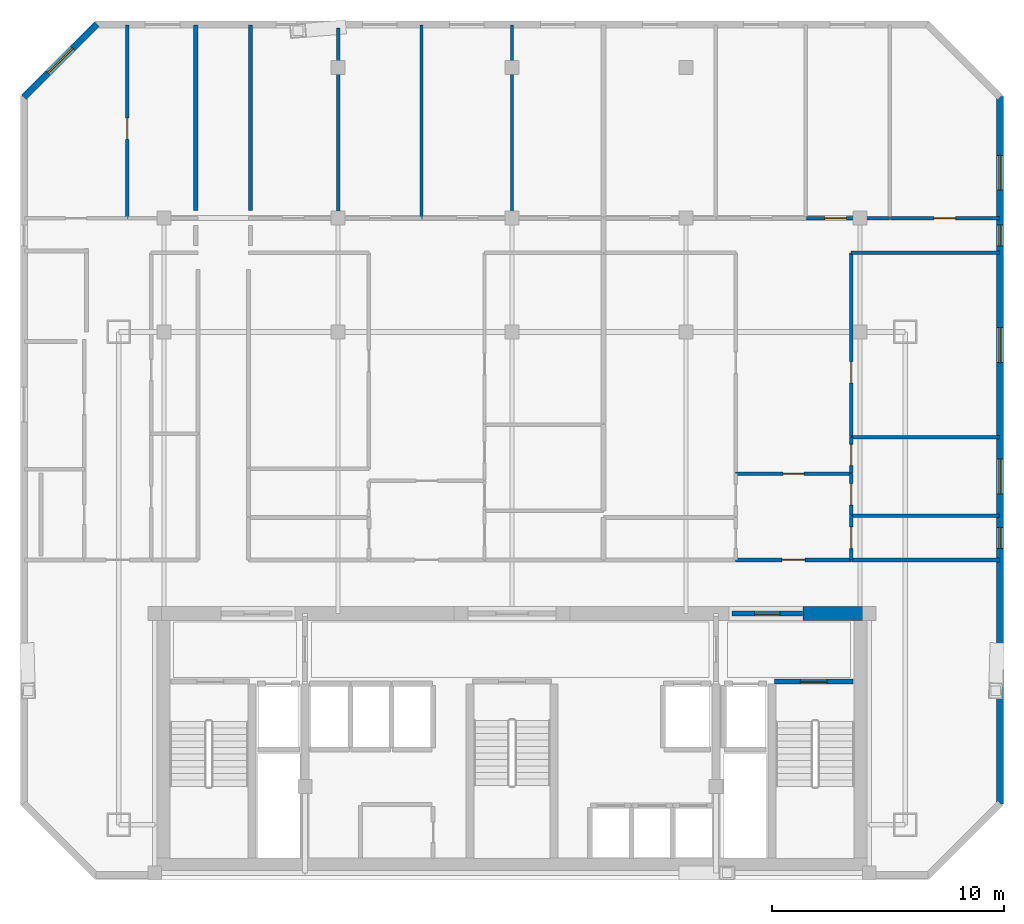
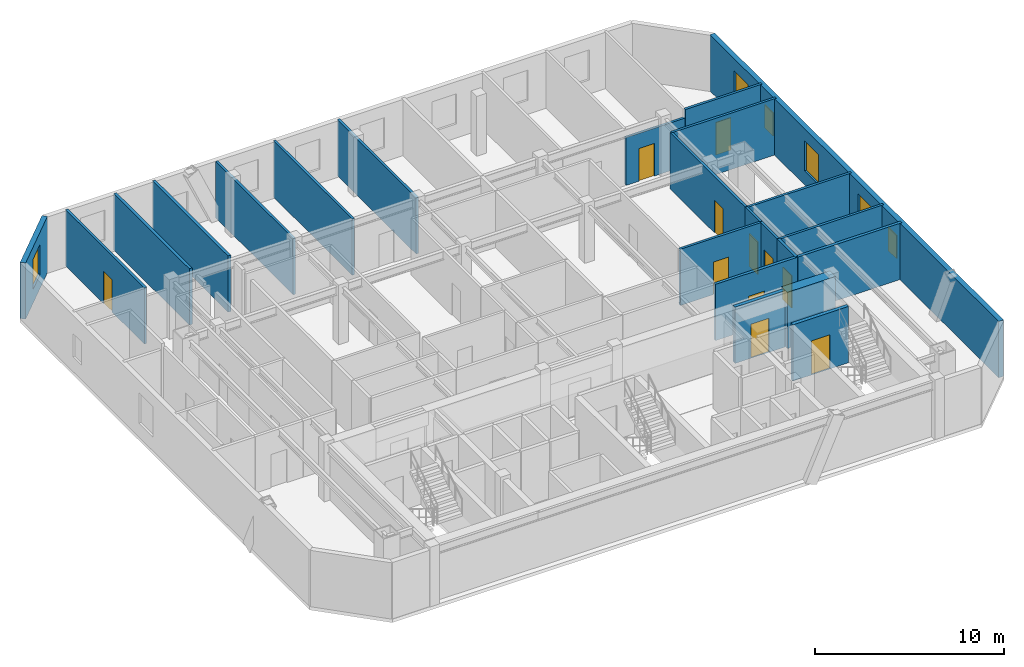
# One storey, part 5 of 7: 23 walls, 11 doors, 6 windows, 17 openings.
"""IFC4 building model written with IfcOpenShell, lengths in metres."""

from ifc_helpers import new_model, si_unit, direction, frame, frame_2d, origin, place, context, subcontext, project, spatial, rectangle, extrude, material, layer, layer_set, type_object, element, fill, save


model = new_model("IFC4")

# Units and contexts
model_context = context("Model", 3, precision=1e-05, world=origin(), true_north=direction((0.0, 1.0)))
body_context = subcontext(model_context, "Body", "Model", "MODEL_VIEW")
ifc_project = project(units=[si_unit("LENGTHUNIT", "METRE"), si_unit("AREAUNIT", "SQUARE_METRE"), si_unit("VOLUMEUNIT", "CUBIC_METRE"), si_unit("PLANEANGLEUNIT", "RADIAN"), si_unit("MASSUNIT", "GRAM", prefix="KILO")], contexts=[model_context])

# Site, building, storey
site_placement = place(None, origin())
site = spatial("IfcSite", under=ifc_project, at=site_placement, CompositionType="ELEMENT")
building_placement = place(site_placement, origin())
building = spatial("IfcBuilding", under=site, at=building_placement, Name="Ventersveld Concourse Tower", CompositionType="ELEMENT")
storey_placement = place(building_placement, frame((0.0, 0.0, 234.949951171875)))
storey = spatial("IfcBuildingStorey", under=building, at=storey_placement, Name="L58", CompositionType="ELEMENT", Elevation=234.949951171875)

# Wall
ifc_material_1 = material(Name="Concrete C50/60", Category="concrete")
ifc_layer_1 = layer(ifc_material_1, 0.60009765625)
ifc_layer_set_1 = layer_set([ifc_layer_1], Name="Concrete C50/60")
wall_type_1 = type_object("IfcWallType", Name="WL-CORE-600", PredefinedType="SHEAR", material=ifc_layer_set_1)
wall_1_placement = place(storey_placement, frame((41.300048828125, 11.449951171875, 0.0), z_axis=(0.0, 0.0, 1.0), x_axis=(1.0, 0.0, 0.0)))
element("IfcWall", 1, at=wall_1_placement, inside=storey, type_object=wall_type_1, Name="L58 Rear Core North Shear Wall NE", PredefinedType="SHEAR", context=body_context, shape_type="SweptSolid", body=[
    extrude(rectangle(XDim=2.949951171875, YDim=0.60009765625, at=frame_2d((1.47509765625, 0.0))), origin(), (0.0, 0.0, 1.0), 3.630126953125),
])

# Wall, opening, door
ifc_material_2 = material(Name="Fire-rated autoclaved aerated masonry blockwork", Category="masonry")
ifc_layer_2 = layer(ifc_material_2, 0.179931640625)
ifc_layer_set_2 = layer_set([ifc_layer_2], Name="Fire-rated autoclaved aerated masonry blockwork")
wall_type_2 = type_object("IfcWallType", Name="WL-CORR-180", PredefinedType="PARTITIONING", material=ifc_layer_set_2)
wall_2_placement = place(storey_placement, frame((38.38818359375, 13.77001953125, 0.0), z_axis=(0.0, 0.0, 1.0), x_axis=(1.0, 0.0, 0.0)))
wall_2 = element("IfcWall", 2, at=wall_2_placement, inside=storey, type_object=wall_type_2, Name="L58 Interior Partition SP-L58-COR-SP-L58-58N2-FOY", PredefinedType="PARTITIONING", context=body_context, shape_type="SweptSolid", body=[
    extrude(rectangle(XDim=4.989990234375, YDim=0.179931640625, at=frame_2d((2.4951171875, 0.0))), origin(), (0.0, 0.0, 1.0), 3.630126953125),
])
opening_1_placement = place(wall_2_placement, frame((1.9951171875, 0.0, 0.0)))
opening_1 = element("IfcOpeningElement", 3, at=opening_1_placement, cuts=wall_2, Name="Opening FD3", PredefinedType="OPENING", context=body_context, shape_type="SweptSolid", body=[
    extrude(rectangle(XDim=1.0, YDim=2.14990234375, at=frame_2d((0.5, 1.074951171875))), frame((0.0, 0.10009765625, 0.0), z_axis=(0.0, -1.0, 0.0), x_axis=(1.0, 0.0, 0.0)), (0.0, 0.0, 1.0), 0.199951171875),
])
ifc_material_3 = material(Name="Solid-core hardwood veneer timber", Category="wood")
door_type_1 = type_object("IfcDoorType", Name="DR-FLAT-100", OperationType="NOTDEFINED", PredefinedType="DOOR", material=ifc_material_3)
door_1_placement = place(opening_1_placement, origin())
door_1 = element("IfcDoor", 4, at=door_1_placement, inside=storey, type_object=door_type_1, Name="L58 Interior Door SP-L58-COR to SP-L58-58N2-FOY (FD-L58-2787)", OperationType="SINGLE_SWING_LEFT", OverallHeight=2.14990234375, OverallWidth=1.0, PredefinedType="DOOR", context=body_context, shape_type="SweptSolid", body=[
    extrude(rectangle(XDim=1.0, YDim=2.14990234375, at=frame_2d((0.5, 1.074951171875))), frame((0.0, 0.02490234375, 0.0), z_axis=(0.0, -1.0, 0.0), x_axis=(1.0, 0.0, 0.0)), (0.0, 0.0, 1.0), 0.050048828125),
])
fill(opening_1, door_1)

# Walls
wall_3_placement = place(storey_placement, frame((43.408203125, 13.77001953125, 0.0), z_axis=(0.0, 0.0, 1.0), x_axis=(1.0, 0.0, 0.0)))
element("IfcWall", 5, at=wall_3_placement, inside=storey, type_object=wall_type_2, Name="L58 Interior Partition SP-L58-COR-SP-L58-58N2-KIT", PredefinedType="PARTITIONING", context=body_context, shape_type="SweptSolid", body=[
    extrude(rectangle(XDim=6.34814453125, YDim=0.179931640625, at=frame_2d((3.174072265625, 0.0))), origin(), (0.0, 0.0, 1.0), 3.630126953125),
])
for number, where, z_axis, x_axis, name in (
    (6, (15.1201171875, 36.822021484375, 0.0), (0.0, 0.0, 1.0), (0.0, -1.0, 0.0), "L58 Room Enclosure Wall SP-L58-58NW-BR2"),
    (7, (17.47998046875, 28.824951171875, 0.0), (0.0, 0.0, 1.0), (0.0, 1.0, 0.0), "L58 Room Enclosure Wall SP-L58-58N1-BR1"),
):
    element("IfcWall", number, at=place(storey_placement, frame(where, z_axis=z_axis, x_axis=x_axis)), inside=storey, type_object=wall_type_2, Name=name, PredefinedType="PARTITIONING", context=body_context, shape_type="SweptSolid", body=[
        extrude(rectangle(XDim=7.9970703125, YDim=0.179931640625, at=frame_2d((3.99853515625, 0.0))), origin(), (0.0, 0.0, 1.0), 3.630126953125),
    ])

# Wall, opening, door
ifc_layer_3 = layer(ifc_material_2, 0.219970703125)
ifc_layer_set_3 = layer_set([ifc_layer_3], Name="Fire-rated autoclaved aerated masonry blockwork")
wall_type_3 = type_object("IfcWallType", Name="WL-HOIST-220", PredefinedType="SOLIDWALL", material=ifc_layer_set_3)
wall_4_placement = place(storey_placement, frame((40.06005859375, 8.52001953125, 0.0), z_axis=(0.0, 0.0, 1.0), x_axis=(1.0, 0.0, 0.0)))
wall_4 = element("IfcWall", 8, at=wall_4_placement, inside=storey, type_object=wall_type_3, Name="L58 Escape Stair ST02 Fire Wall", PredefinedType="SOLIDWALL", context=body_context, shape_type="SweptSolid", body=[
    extrude(rectangle(XDim=3.39990234375, YDim=0.219970703125, at=frame_2d((1.699951171875, 0.0))), origin(), (0.0, 0.0, 1.0), 3.630126953125),
])
opening_2_placement = place(wall_4_placement, frame((1.125, 0.0, 0.0)))
opening_2 = element("IfcOpeningElement", 9, at=opening_2_placement, cuts=wall_4, Name="Opening FD1", PredefinedType="OPENING", context=body_context, shape_type="SweptSolid", body=[
    extrude(rectangle(XDim=1.14990234375, YDim=2.199951171875, at=frame_2d((0.574951171875, 1.10009765625))), frame((0.0, 0.1201171875, 0.0), z_axis=(0.0, -1.0, 0.0), x_axis=(1.0, 0.0, 0.0)), (0.0, 0.0, 1.0), 0.239990234375),
])
ifc_material_4 = material(Name="Galvanised painted steel", Category="steel")
door_type_2 = type_object("IfcDoorType", Name="DR-STAIR-115", OperationType="NOTDEFINED", PredefinedType="DOOR", material=ifc_material_4)
door_2_placement = place(opening_2_placement, origin())
door_2 = element("IfcDoor", 10, at=door_2_placement, inside=storey, type_object=door_type_2, Name="L58 Escape Stair Door ST02 (SD-L58-2777)", OperationType="SINGLE_SWING_RIGHT", OverallHeight=2.199951171875, OverallWidth=1.14990234375, PredefinedType="DOOR", context=body_context, shape_type="SweptSolid", body=[
    extrude(rectangle(XDim=1.14990234375, YDim=2.199951171875, at=frame_2d((0.574951171875, 1.10009765625))), frame((0.0, 0.02490234375, 0.0), z_axis=(0.0, -1.0, 0.0), x_axis=(1.0, 0.0, 0.0)), (0.0, 0.0, 1.0), 0.050048828125),
])
fill(opening_2, door_2)

wall_5_placement = place(storey_placement, frame((38.22998046875, 11.449951171875, 0.0), z_axis=(0.0, 0.0, 1.0), x_axis=(1.0, 0.0, 0.0)))
wall_5 = element("IfcWall", 11, at=wall_5_placement, inside=storey, type_object=wall_type_3, Name="L58 Core North Fire Portal FFLE-OUT", PredefinedType="SOLIDWALL", context=body_context, shape_type="SweptSolid", body=[
    extrude(rectangle(XDim=3.0400390625, YDim=0.219970703125, at=frame_2d((1.52001953125, 0.0))), origin(), (0.0, 0.0, 1.0), 3.630126953125),
])
opening_3_placement = place(wall_5_placement, frame((0.969970703125, 0.0, 0.0)))
opening_3 = element("IfcOpeningElement", 12, at=opening_3_placement, cuts=wall_5, Name="Opening FD2", PredefinedType="OPENING", context=body_context, shape_type="SweptSolid", body=[
    extrude(rectangle(XDim=1.10009765625, YDim=2.199951171875, at=frame_2d((0.550048828125, 1.10009765625))), frame((0.0, 0.1201171875, 0.0), z_axis=(0.0, -1.0, 0.0), x_axis=(1.0, 0.0, 0.0)), (0.0, 0.0, 1.0), 0.239990234375),
])
door_type_3 = type_object("IfcDoorType", Name="DR-FFL-110", OperationType="NOTDEFINED", PredefinedType="DOOR", material=ifc_material_4)
door_3_placement = place(opening_3_placement, origin())
door_3 = element("IfcDoor", 13, at=door_3_placement, inside=storey, type_object=door_type_3, Name="L58 Core Lobby Fire Door FFLE-OUT (FD-L58-2783)", OperationType="SINGLE_SWING_LEFT", OverallHeight=2.199951171875, OverallWidth=1.10009765625, PredefinedType="DOOR", context=body_context, shape_type="SweptSolid", body=[
    extrude(rectangle(XDim=1.10009765625, YDim=2.199951171875, at=frame_2d((0.550048828125, 1.10009765625))), frame((0.0, 0.02490234375, 0.0), z_axis=(0.0, -1.0, 0.0), x_axis=(1.0, 0.0, 0.0)), (0.0, 0.0, 1.0), 0.050048828125),
])
fill(opening_3, door_3)

ifc_material_5 = material(Name="Autoclaved aerated masonry blockwork", Category="masonry")
ifc_layer_4 = layer(ifc_material_5, 0.14990234375)
ifc_layer_set_4 = layer_set([ifc_layer_4], Name="Autoclaved aerated masonry blockwork")
wall_type_4 = type_object("IfcWallType", Name="WL-INT-150", PredefinedType="PARTITIONING", material=ifc_layer_set_4)
wall_6_placement = place(storey_placement, frame((12.167236328125, 28.4951171875, 0.0), z_axis=(0.0, 0.0, 1.0), x_axis=(0.0, 1.0, 0.0)))
wall_6 = element("IfcWall", 14, at=wall_6_placement, inside=storey, type_object=wall_type_4, Name="L58 Interior Partition SP-L58-58NW-BR1-SP-L58-58NW-BR2", PredefinedType="PARTITIONING", context=body_context, shape_type="SweptSolid", body=[
    extrude(rectangle(XDim=8.326904296875, YDim=0.14990234375, at=frame_2d((4.16357421875, 0.0))), origin(), (0.0, 0.0, 1.0), 3.630126953125),
])
opening_4_placement = place(wall_6_placement, frame((3.397216796875, 0.0, 0.0)))
opening_4 = element("IfcOpeningElement", 15, at=opening_4_placement, cuts=wall_6, Name="Opening ID1", PredefinedType="OPENING", context=body_context, shape_type="SweptSolid", body=[
    extrude(rectangle(XDim=0.919921875, YDim=2.10009765625, at=frame_2d((0.4599609375, 1.050048828125))), frame((0.0, 0.0849609375, 0.0), z_axis=(0.0, -1.0, 0.0), x_axis=(1.0, 0.0, 0.0)), (0.0, 0.0, 1.0), 0.169921875),
])
door_type_4 = type_object("IfcDoorType", Name="DR-ROOM-092", OperationType="NOTDEFINED", PredefinedType="DOOR", material=ifc_material_3)
door_4_placement = place(opening_4_placement, origin())
door_4 = element("IfcDoor", 16, at=door_4_placement, inside=storey, type_object=door_type_4, Name="L58 Interior Door Flat 58NW Bedroom 2 (D-L58-2819)", OperationType="SINGLE_SWING_RIGHT", OverallHeight=2.10009765625, OverallWidth=0.919921875, PredefinedType="DOOR", context=body_context, shape_type="SweptSolid", body=[
    extrude(rectangle(XDim=0.919921875, YDim=2.10009765625, at=frame_2d((0.4599609375, 1.050048828125))), frame((0.0, 0.02490234375, 0.0), z_axis=(0.0, -1.0, 0.0), x_axis=(1.0, 0.0, 0.0)), (0.0, 0.0, 1.0), 0.050048828125),
])
fill(opening_4, door_4)

# Walls
wall_7_placement = place(storey_placement, frame((21.25, 28.4951171875, 0.0), z_axis=(0.0, 0.0, 1.0), x_axis=(0.0, 1.0, 0.0)))
element("IfcWall", 17, at=wall_7_placement, inside=storey, type_object=wall_type_4, Name="L58 Interior Partition SP-L58-58N1-BR1-SP-L58-58N1-BR2", PredefinedType="PARTITIONING", context=body_context, shape_type="SweptSolid", body=[
    extrude(rectangle(XDim=8.200927734375, YDim=0.14990234375, at=frame_2d((4.1005859375, 0.0))), origin(), (0.0, 0.0, 1.0), 3.630126953125),
])
for number, where, z_axis, x_axis, name in (
    (18, (24.848388671875, 28.4951171875, 0.0), (0.0, 0.0, 1.0), (0.0, 1.0, 0.0), "L58 Interior Partition SP-L58-58N1-BR2-SP-L58-58N1-BR3"),
    (19, (28.75, 28.4951171875, 0.0), (0.0, 0.0, 1.0), (0.0, 1.0, 0.0), "L58 Interior Partition SP-L58-58N1-BR3-SP-L58-58N1-BR4"),
):
    element("IfcWall", number, at=place(storey_placement, frame(where, z_axis=z_axis, x_axis=x_axis)), inside=storey, type_object=wall_type_4, Name=name, PredefinedType="PARTITIONING", context=body_context, shape_type="SweptSolid", body=[
        extrude(rectangle(XDim=8.326904296875, YDim=0.14990234375, at=frame_2d((4.16357421875, 0.0))), origin(), (0.0, 0.0, 1.0), 3.630126953125),
    ])

# Wall, opening, door
wall_8_placement = place(storey_placement, frame((38.38818359375, 17.48583984375, 0.0), z_axis=(0.0, 0.0, 1.0), x_axis=(1.0, 0.0, 0.0)))
wall_8 = element("IfcWall", 20, at=wall_8_placement, inside=storey, type_object=wall_type_4, Name="L58 Interior Partition SP-L58-58N2-FOY-SP-L58-58N2-LIV", PredefinedType="PARTITIONING", context=body_context, shape_type="SweptSolid", body=[
    extrude(rectangle(XDim=4.989990234375, YDim=0.14990234375, at=frame_2d((2.4951171875, 0.0))), origin(), (0.0, 0.0, 1.0), 3.630126953125),
])
opening_5_placement = place(wall_8_placement, frame((2.034912109375, 0.0, 0.0)))
opening_5 = element("IfcOpeningElement", 21, at=opening_5_placement, cuts=wall_8, Name="Opening ID1", PredefinedType="OPENING", context=body_context, shape_type="SweptSolid", body=[
    extrude(rectangle(XDim=0.919921875, YDim=2.10009765625, at=frame_2d((0.4599609375, 1.050048828125))), frame((0.0, 0.0849609375, 0.0), z_axis=(0.0, -1.0, 0.0), x_axis=(1.0, 0.0, 0.0)), (0.0, 0.0, 1.0), 0.169921875),
])
door_5_placement = place(opening_5_placement, origin())
door_5 = element("IfcDoor", 22, at=door_5_placement, inside=storey, type_object=door_type_4, Name="L58 Interior Door SP-L58-58N2-FOY to SP-L58-58N2-LIV (D-L58-2806)", OperationType="SINGLE_SWING_RIGHT", OverallHeight=2.10009765625, OverallWidth=0.919921875, PredefinedType="DOOR", context=body_context, shape_type="SweptSolid", body=[
    extrude(rectangle(XDim=0.919921875, YDim=2.10009765625, at=frame_2d((0.4599609375, 1.050048828125))), frame((0.0, 0.02490234375, 0.0), z_axis=(0.0, -1.0, 0.0), x_axis=(1.0, 0.0, 0.0)), (0.0, 0.0, 1.0), 0.050048828125),
])
fill(opening_5, door_5)

wall_9_placement = place(storey_placement, frame((43.373291015625, 13.764892578125, 0.0), z_axis=(0.0, 0.0, 1.0), x_axis=(0.0, 1.0, 0.0)))
wall_9 = element("IfcWall", 23, at=wall_9_placement, inside=storey, type_object=wall_type_4, Name="L58 Interior Partition SP-L58-58N2-FOY-SP-L58-58N2-KIT", PredefinedType="PARTITIONING", context=body_context, shape_type="SweptSolid", body=[
    extrude(rectangle(XDim=1.90869140625, YDim=0.14990234375, at=frame_2d((0.954345703125, 0.0))), origin(), (0.0, 0.0, 1.0), 3.630126953125),
])
opening_6_placement = place(wall_9_placement, frame((0.494384765625, 0.0, 0.0)))
opening_6 = element("IfcOpeningElement", 24, at=opening_6_placement, cuts=wall_9, Name="Opening ID1", PredefinedType="OPENING", context=body_context, shape_type="SweptSolid", body=[
    extrude(rectangle(XDim=0.919921875, YDim=2.10009765625, at=frame_2d((0.4599609375, 1.050048828125))), frame((0.0, 0.0849609375, 0.0), z_axis=(0.0, -1.0, 0.0), x_axis=(1.0, 0.0, 0.0)), (0.0, 0.0, 1.0), 0.169921875),
])
door_6_placement = place(opening_6_placement, origin())
door_6 = element("IfcDoor", 25, at=door_6_placement, inside=storey, type_object=door_type_4, Name="L58 Interior Door SP-L58-58N2-FOY to SP-L58-58N2-KIT (D-L58-2809)", OperationType="SINGLE_SWING_LEFT", OverallHeight=2.10009765625, OverallWidth=0.919921875, PredefinedType="DOOR", context=body_context, shape_type="SweptSolid", body=[
    extrude(rectangle(XDim=0.919921875, YDim=2.10009765625, at=frame_2d((0.4599609375, 1.050048828125))), frame((0.0, 0.02490234375, 0.0), z_axis=(0.0, -1.0, 0.0), x_axis=(1.0, 0.0, 0.0)), (0.0, 0.0, 1.0), 0.050048828125),
])
fill(opening_6, door_6)

wall_10_placement = place(storey_placement, frame((43.373291015625, 15.70361328125, 0.0), z_axis=(0.0, 0.0, 1.0), x_axis=(0.0, 1.0, 0.0)))
wall_10 = element("IfcWall", 26, at=wall_10_placement, inside=storey, type_object=wall_type_4, Name="L58 Interior Partition SP-L58-58N2-FOY-SP-L58-58N2-SEMR1", PredefinedType="PARTITIONING", context=body_context, shape_type="SweptSolid", body=[
    extrude(rectangle(XDim=1.787353515625, YDim=0.14990234375, at=frame_2d((0.8935546875, 0.0))), origin(), (0.0, 0.0, 1.0), 3.630126953125),
])
opening_7_placement = place(wall_10_placement, frame((0.43359375, 0.0, 0.0)))
opening_7 = element("IfcOpeningElement", 27, at=opening_7_placement, cuts=wall_10, Name="Opening ID1", PredefinedType="OPENING", context=body_context, shape_type="SweptSolid", body=[
    extrude(rectangle(XDim=0.919921875, YDim=2.10009765625, at=frame_2d((0.4599609375, 1.050048828125))), frame((0.0, 0.0849609375, 0.0), z_axis=(0.0, -1.0, 0.0), x_axis=(1.0, 0.0, 0.0)), (0.0, 0.0, 1.0), 0.169921875),
])
door_7_placement = place(opening_7_placement, origin())
door_7 = element("IfcDoor", 28, at=door_7_placement, inside=storey, type_object=door_type_4, Name="L58 Interior Door SP-L58-58N2-FOY to SP-L58-58N2-SEMR1 (D-L58-2810)", OperationType="SINGLE_SWING_RIGHT", OverallHeight=2.10009765625, OverallWidth=0.919921875, PredefinedType="DOOR", context=body_context, shape_type="SweptSolid", body=[
    extrude(rectangle(XDim=0.919921875, YDim=2.10009765625, at=frame_2d((0.4599609375, 1.050048828125))), frame((0.0, 0.02490234375, 0.0), z_axis=(0.0, -1.0, 0.0), x_axis=(1.0, 0.0, 0.0)), (0.0, 0.0, 1.0), 0.050048828125),
])
fill(opening_7, door_7)

wall_11_placement = place(storey_placement, frame((43.373291015625, 17.52099609375, 0.0), z_axis=(0.0, 0.0, 1.0), x_axis=(0.0, 1.0, 0.0)))
wall_11 = element("IfcWall", 29, at=wall_11_placement, inside=storey, type_object=wall_type_4, Name="L58 Interior Partition SP-L58-58N2-LIV-SP-L58-58N2-SEMR1", PredefinedType="PARTITIONING", context=body_context, shape_type="SweptSolid", body=[
    extrude(rectangle(XDim=1.5380859375, YDim=0.14990234375, at=frame_2d((0.76904296875, 0.0))), origin(), (0.0, 0.0, 1.0), 3.630126953125),
])
opening_8_placement = place(wall_11_placement, frame((0.30908203125, 0.0, 0.0)))
opening_8 = element("IfcOpeningElement", 30, at=opening_8_placement, cuts=wall_11, Name="Opening ID1", PredefinedType="OPENING", context=body_context, shape_type="SweptSolid", body=[
    extrude(rectangle(XDim=0.919921875, YDim=2.10009765625, at=frame_2d((0.4599609375, 1.050048828125))), frame((0.0, 0.0849609375, 0.0), z_axis=(0.0, -1.0, 0.0), x_axis=(1.0, 0.0, 0.0)), (0.0, 0.0, 1.0), 0.169921875),
])
door_8_placement = place(opening_8_placement, origin())
door_8 = element("IfcDoor", 31, at=door_8_placement, inside=storey, type_object=door_type_4, Name="L58 Interior Door SP-L58-58N2-LIV to SP-L58-58N2-SEMR1 (D-L58-2812)", OperationType="SINGLE_SWING_RIGHT", OverallHeight=2.10009765625, OverallWidth=0.919921875, PredefinedType="DOOR", context=body_context, shape_type="SweptSolid", body=[
    extrude(rectangle(XDim=0.919921875, YDim=2.10009765625, at=frame_2d((0.4599609375, 1.050048828125))), frame((0.0, 0.02490234375, 0.0), z_axis=(0.0, -1.0, 0.0), x_axis=(1.0, 0.0, 0.0)), (0.0, 0.0, 1.0), 0.050048828125),
])
fill(opening_8, door_8)

wall_12_placement = place(storey_placement, frame((43.373291015625, 19.089111328125, 0.0), z_axis=(0.0, 0.0, 1.0), x_axis=(0.0, 1.0, 0.0)))
wall_12 = element("IfcWall", 32, at=wall_12_placement, inside=storey, type_object=wall_type_4, Name="L58 Interior Partition SP-L58-58N2-LIV-SP-L58-58N2-DENS", PredefinedType="PARTITIONING", context=body_context, shape_type="SweptSolid", body=[
    extrude(rectangle(XDim=7.915771484375, YDim=0.14990234375, at=frame_2d((3.9580078125, 0.0))), origin(), (0.0, 0.0, 1.0), 3.630126953125),
])
opening_9_placement = place(wall_12_placement, frame((2.310546875, 0.0, 0.0)))
opening_9 = element("IfcOpeningElement", 33, at=opening_9_placement, cuts=wall_12, Name="Opening ID1", PredefinedType="OPENING", context=body_context, shape_type="SweptSolid", body=[
    extrude(rectangle(XDim=0.919921875, YDim=2.10009765625, at=frame_2d((0.4599609375, 1.050048828125))), frame((0.0, 0.0849609375, 0.0), z_axis=(0.0, -1.0, 0.0), x_axis=(1.0, 0.0, 0.0)), (0.0, 0.0, 1.0), 0.169921875),
])
door_9_placement = place(opening_9_placement, origin())
door_9 = element("IfcDoor", 34, at=door_9_placement, inside=storey, type_object=door_type_4, Name="L58 Interior Door SP-L58-58N2-LIV to SP-L58-58N2-DENS (D-L58-2813)", OperationType="SINGLE_SWING_LEFT", OverallHeight=2.10009765625, OverallWidth=0.919921875, PredefinedType="DOOR", context=body_context, shape_type="SweptSolid", body=[
    extrude(rectangle(XDim=0.919921875, YDim=2.10009765625, at=frame_2d((0.4599609375, 1.050048828125))), frame((0.0, 0.02490234375, 0.0), z_axis=(0.0, -1.0, 0.0), x_axis=(1.0, 0.0, 0.0)), (0.0, 0.0, 1.0), 0.050048828125),
])
fill(opening_9, door_9)

# Wall
wall_13_placement = place(storey_placement, frame((43.3681640625, 27.0, 0.0), z_axis=(0.0, 0.0, 1.0), x_axis=(1.0, 0.0, 0.0)))
element("IfcWall", 35, at=wall_13_placement, inside=storey, type_object=wall_type_4, Name="L58 Interior Partition SP-L58-58N2-LIV-SP-L58-58N2-DENS", PredefinedType="PARTITIONING", context=body_context, shape_type="SweptSolid", body=[
    extrude(rectangle(XDim=6.38818359375, YDim=0.14990234375, at=frame_2d((3.194091796875, 0.0))), origin(), (0.0, 0.0, 1.0), 3.630126953125),
])

# Wall, opening, door
wall_14_placement = place(storey_placement, frame((41.443359375, 28.5, 0.0), z_axis=(0.0, 0.0, 1.0), x_axis=(1.0, 0.0, 0.0)))
wall_14 = element("IfcWall", 36, at=wall_14_placement, inside=storey, type_object=wall_type_4, Name="L58 Interior Partition SP-L58-58N2-LIV-SP-L58-58N2-BR3", PredefinedType="PARTITIONING", context=body_context, shape_type="SweptSolid", body=[
    extrude(rectangle(XDim=3.589599609375, YDim=0.14990234375, at=frame_2d((1.794921875, 0.0))), origin(), (0.0, 0.0, 1.0), 3.08544921875),
])
opening_10_placement = place(wall_14_placement, frame((0.79638671875, 0.0, 0.0)))
opening_10 = element("IfcOpeningElement", 37, at=opening_10_placement, cuts=wall_14, Name="Opening ID1", PredefinedType="OPENING", context=body_context, shape_type="SweptSolid", body=[
    extrude(rectangle(XDim=0.919921875, YDim=2.10009765625, at=frame_2d((0.4599609375, 1.050048828125))), frame((0.0, 0.0849609375, 0.0), z_axis=(0.0, -1.0, 0.0), x_axis=(1.0, 0.0, 0.0)), (0.0, 0.0, 1.0), 0.169921875),
])
door_10_placement = place(opening_10_placement, origin())
door_10 = element("IfcDoor", 38, at=door_10_placement, inside=storey, type_object=door_type_4, Name="L58 Interior Door SP-L58-58N2-LIV to SP-L58-58N2-BR3 (D-L58-2816)", OperationType="SINGLE_SWING_RIGHT", OverallHeight=2.10009765625, OverallWidth=0.919921875, PredefinedType="DOOR", context=body_context, shape_type="SweptSolid", body=[
    extrude(rectangle(XDim=0.919921875, YDim=2.10009765625, at=frame_2d((0.4599609375, 1.050048828125))), frame((0.0, 0.02490234375, 0.0), z_axis=(0.0, -1.0, 0.0), x_axis=(1.0, 0.0, 0.0)), (0.0, 0.0, 1.0), 0.050048828125),
])
fill(opening_10, door_10)

wall_15_placement = place(storey_placement, frame((45.06298828125, 28.5, 0.0), z_axis=(0.0, 0.0, 1.0), x_axis=(1.0, 0.0, 0.0)))
wall_15 = element("IfcWall", 39, at=wall_15_placement, inside=storey, type_object=wall_type_4, Name="L58 Interior Partition SP-L58-58N2-LIV-SP-L58-58N2-BR4", PredefinedType="PARTITIONING", context=body_context, shape_type="SweptSolid", body=[
    extrude(rectangle(XDim=4.693359375, YDim=0.14990234375, at=frame_2d((2.3466796875, 0.0))), origin(), (0.0, 0.0, 1.0), 3.630126953125),
])
opening_11_placement = place(wall_15_placement, frame((1.88671875, 0.0, 0.0)))
opening_11 = element("IfcOpeningElement", 40, at=opening_11_placement, cuts=wall_15, Name="Opening ID1", PredefinedType="OPENING", context=body_context, shape_type="SweptSolid", body=[
    extrude(rectangle(XDim=0.919921875, YDim=2.10009765625, at=frame_2d((0.4599609375, 1.050048828125))), frame((0.0, 0.0849609375, 0.0), z_axis=(0.0, -1.0, 0.0), x_axis=(1.0, 0.0, 0.0)), (0.0, 0.0, 1.0), 0.169921875),
])
door_11_placement = place(opening_11_placement, origin())
door_11 = element("IfcDoor", 41, at=door_11_placement, inside=storey, type_object=door_type_4, Name="L58 Interior Door SP-L58-58N2-LIV to SP-L58-58N2-BR4 (D-L58-2817)", OperationType="SINGLE_SWING_LEFT", OverallHeight=2.10009765625, OverallWidth=0.919921875, PredefinedType="DOOR", context=body_context, shape_type="SweptSolid", body=[
    extrude(rectangle(XDim=0.919921875, YDim=2.10009765625, at=frame_2d((0.4599609375, 1.050048828125))), frame((0.0, 0.02490234375, 0.0), z_axis=(0.0, -1.0, 0.0), x_axis=(1.0, 0.0, 0.0)), (0.0, 0.0, 1.0), 0.050048828125),
])
fill(opening_11, door_11)

# Walls
for number, where, z_axis, x_axis, name in (
    (42, (43.3681640625, 15.668701171875, 0.0), (0.0, 0.0, 1.0), (1.0, 0.0, 0.0), "L58 Interior Partition SP-L58-58N2-KIT-SP-L58-58N2-SEMR1"),
    (43, (43.3681640625, 19.05419921875, 0.0), (0.0, 0.0, 1.0), (1.0, 0.0, 0.0), "L58 Interior Partition SP-L58-58N2-SEMR1-SP-L58-58N2-DENS"),
):
    element("IfcWall", number, at=place(storey_placement, frame(where, z_axis=z_axis, x_axis=x_axis)), inside=storey, type_object=wall_type_4, Name=name, PredefinedType="PARTITIONING", context=body_context, shape_type="SweptSolid", body=[
        extrude(rectangle(XDim=6.38818359375, YDim=0.14990234375, at=frame_2d((3.194091796875, 0.0))), origin(), (0.0, 0.0, 1.0), 3.630126953125),
    ])

# Wall, openings, windows
ifc_material_6 = material(Name="Precast concrete C45/55", Category="concrete")
ifc_layer_5 = layer(ifc_material_6, 0.300048828125)
ifc_layer_set_5 = layer_set([ifc_layer_5], Name="Precast concrete C45/55")
wall_type_5 = type_object("IfcWallType", Name="WL-PREC-300", PredefinedType="SOLIDWALL", material=ifc_layer_set_5)
wall_16_placement = place(storey_placement, frame((49.77880859375, 3.239990234375, 0.0), z_axis=(0.0, 0.0, 1.0), x_axis=(0.0, 1.0, 0.0)))
wall_16 = element("IfcWall", 44, at=wall_16_placement, inside=storey, type_object=wall_type_5, Name="L58 Highveld Precast Facade Wall E03", PredefinedType="SOLIDWALL", context=body_context, shape_type="SweptSolid", body=[
    extrude(rectangle(XDim=30.514404296875, YDim=0.300048828125, at=frame_2d((15.25732421875, 0.0))), origin(), (0.0, 0.0, 1.0), 3.630126953125),
])
opening_12_placement = place(wall_16_placement, frame((24.06005859375, 0.0, 0.949951171875)))
opening_12 = element("IfcOpeningElement", 45, at=opening_12_placement, cuts=wall_16, Name="Opening W4", PredefinedType="OPENING", context=body_context, shape_type="SweptSolid", body=[
    extrude(rectangle(XDim=0.89990234375, YDim=1.5, at=frame_2d((0.449951171875, 0.75))), frame((0.0, 0.16015625, 0.0), z_axis=(0.0, -1.0, 0.0), x_axis=(1.0, 0.0, 0.0)), (0.0, 0.0, 1.0), 0.320068359375),
])
opening_13_placement = place(wall_16_placement, frame((11.029296875, 0.0, 0.949951171875)))
opening_13 = element("IfcOpeningElement", 46, at=opening_13_placement, cuts=wall_16, Name="Opening W4", PredefinedType="OPENING", context=body_context, shape_type="SweptSolid", body=[
    extrude(rectangle(XDim=0.89990234375, YDim=1.5, at=frame_2d((0.449951171875, 0.75))), frame((0.0, 0.16015625, 0.0), z_axis=(0.0, -1.0, 0.0), x_axis=(1.0, 0.0, 0.0)), (0.0, 0.0, 1.0), 0.320068359375),
])
opening_14_placement = place(wall_16_placement, frame((13.37158203125, 0.0, 0.89990234375)))
opening_14 = element("IfcOpeningElement", 47, at=opening_14_placement, cuts=wall_16, Name="Opening W1", PredefinedType="OPENING", context=body_context, shape_type="SweptSolid", body=[
    extrude(rectangle(XDim=1.5, YDim=1.949951171875, at=frame_2d((0.75, 0.97509765625))), frame((0.0, 0.16015625, 0.0), z_axis=(0.0, -1.0, 0.0), x_axis=(1.0, 0.0, 0.0)), (0.0, 0.0, 1.0), 0.320068359375),
])
opening_15_placement = place(wall_16_placement, frame((19.037109375, 0.0, 0.89990234375)))
opening_15 = element("IfcOpeningElement", 48, at=opening_15_placement, cuts=wall_16, Name="Opening W1", PredefinedType="OPENING", context=body_context, shape_type="SweptSolid", body=[
    extrude(rectangle(XDim=1.5, YDim=1.949951171875, at=frame_2d((0.75, 0.97509765625))), frame((0.0, 0.16015625, 0.0), z_axis=(0.0, -1.0, 0.0), x_axis=(1.0, 0.0, 0.0)), (0.0, 0.0, 1.0), 0.320068359375),
])
opening_16_placement = place(wall_16_placement, frame((26.462890625, 0.0, 0.89990234375)))
opening_16 = element("IfcOpeningElement", 49, at=opening_16_placement, cuts=wall_16, Name="Opening W1", PredefinedType="OPENING", context=body_context, shape_type="SweptSolid", body=[
    extrude(rectangle(XDim=1.5, YDim=1.949951171875, at=frame_2d((0.75, 0.97509765625))), frame((0.0, 0.16015625, 0.0), z_axis=(0.0, -1.0, 0.0), x_axis=(1.0, 0.0, 0.0)), (0.0, 0.0, 1.0), 0.320068359375),
])
ifc_material_7 = material(Name="Tempered acoustic Low-E IGU", Category="glass")
window_type_1 = type_object("IfcWindowType", Name="WIN-090x150", PartitioningType="SINGLE_PANEL", PredefinedType="WINDOW", material=ifc_material_7)
window_1_placement = place(opening_12_placement, origin())
window_1 = element("IfcWindow", 50, at=window_1_placement, inside=storey, type_object=window_type_1, Name="L58 Punched Low-E Window W-0835", OverallHeight=1.5, OverallWidth=0.89990234375, PartitioningType="SINGLE_PANEL", PredefinedType="WINDOW", context=body_context, shape_type="SweptSolid", body=[
    extrude(rectangle(XDim=0.89990234375, YDim=1.5, at=frame_2d((0.449951171875, 0.75))), frame((0.0, 0.030029296875, 0.0), z_axis=(0.0, -1.0, 0.0), x_axis=(1.0, 0.0, 0.0)), (0.0, 0.0, 1.0), 0.06005859375),
])
fill(opening_12, window_1)
window_2_placement = place(opening_13_placement, origin())
window_2 = element("IfcWindow", 51, at=window_2_placement, inside=storey, type_object=window_type_1, Name="L58 Punched Low-E Window W-0836", OverallHeight=1.5, OverallWidth=0.89990234375, PartitioningType="SINGLE_PANEL", PredefinedType="WINDOW", context=body_context, shape_type="SweptSolid", body=[
    extrude(rectangle(XDim=0.89990234375, YDim=1.5, at=frame_2d((0.449951171875, 0.75))), frame((0.0, 0.030029296875, 0.0), z_axis=(0.0, -1.0, 0.0), x_axis=(1.0, 0.0, 0.0)), (0.0, 0.0, 1.0), 0.06005859375),
])
fill(opening_13, window_2)
window_type_2 = type_object("IfcWindowType", Name="WIN-150x210", PartitioningType="SINGLE_PANEL", PredefinedType="WINDOW", material=ifc_material_7)
window_3_placement = place(opening_14_placement, origin())
window_3 = element("IfcWindow", 52, at=window_3_placement, inside=storey, type_object=window_type_2, Name="L58 Punched Low-E Window W-0837", OverallHeight=1.949951171875, OverallWidth=1.5, PartitioningType="SINGLE_PANEL", PredefinedType="WINDOW", context=body_context, shape_type="SweptSolid", body=[
    extrude(rectangle(XDim=1.5, YDim=1.949951171875, at=frame_2d((0.75, 0.97509765625))), frame((0.0, 0.030029296875, 0.0), z_axis=(0.0, -1.0, 0.0), x_axis=(1.0, 0.0, 0.0)), (0.0, 0.0, 1.0), 0.06005859375),
])
fill(opening_14, window_3)
window_4_placement = place(opening_15_placement, origin())
window_4 = element("IfcWindow", 53, at=window_4_placement, inside=storey, type_object=window_type_2, Name="L58 Punched Low-E Window W-0838", OverallHeight=1.949951171875, OverallWidth=1.5, PartitioningType="SINGLE_PANEL", PredefinedType="WINDOW", context=body_context, shape_type="SweptSolid", body=[
    extrude(rectangle(XDim=1.5, YDim=1.949951171875, at=frame_2d((0.75, 0.97509765625))), frame((0.0, 0.030029296875, 0.0), z_axis=(0.0, -1.0, 0.0), x_axis=(1.0, 0.0, 0.0)), (0.0, 0.0, 1.0), 0.06005859375),
])
fill(opening_15, window_4)
window_5_placement = place(opening_16_placement, origin())
window_5 = element("IfcWindow", 54, at=window_5_placement, inside=storey, type_object=window_type_2, Name="L58 Punched Low-E Window W-0842", OverallHeight=1.949951171875, OverallWidth=1.5, PartitioningType="SINGLE_PANEL", PredefinedType="WINDOW", context=body_context, shape_type="SweptSolid", body=[
    extrude(rectangle(XDim=1.5, YDim=1.949951171875, at=frame_2d((0.75, 0.97509765625))), frame((0.0, 0.030029296875, 0.0), z_axis=(0.0, -1.0, 0.0), x_axis=(1.0, 0.0, 0.0)), (0.0, 0.0, 1.0), 0.06005859375),
])
fill(opening_16, window_5)

# Wall, opening, window
wall_17_placement = place(storey_placement, frame((10.848876953125, 36.860107421875, 0.0), z_axis=(0.0, 0.0, 1.0), x_axis=(-0.707079321262, -0.707134240044, 0.0)))
wall_17 = element("IfcWall", 55, at=wall_17_placement, inside=storey, type_object=wall_type_5, Name="L58 Highveld Precast Facade Wall E06", PredefinedType="SOLIDWALL", context=body_context, shape_type="SweptSolid", body=[
    extrude(rectangle(XDim=4.445556640625, YDim=0.300048828125, at=frame_2d((2.22265625, 0.0))), origin(), (0.0, 0.0, 1.0), 3.630126953125),
])
opening_17_placement = place(wall_17_placement, frame((1.47265625, 0.0, 0.89990234375)))
opening_17 = element("IfcOpeningElement", 56, at=opening_17_placement, cuts=wall_17, Name="Opening W1", PredefinedType="OPENING", context=body_context, shape_type="SweptSolid", body=[
    extrude(rectangle(XDim=1.5, YDim=1.949951171875, at=frame_2d((0.75, 0.97509765625))), frame((0.0, 0.16015625, 0.0), z_axis=(0.0, -1.0, 0.0), x_axis=(1.0, 0.0, 0.0)), (0.0, 0.0, 1.0), 0.320068359375),
])
window_6_placement = place(opening_17_placement, origin())
window_6 = element("IfcWindow", 57, at=window_6_placement, inside=storey, type_object=window_type_2, Name="L58 Punched Low-E Window W-0829", OverallHeight=1.949951171875, OverallWidth=1.5, PartitioningType="SINGLE_PANEL", PredefinedType="WINDOW", context=body_context, shape_type="SweptSolid", body=[
    extrude(rectangle(XDim=1.5, YDim=1.949951171875, at=frame_2d((0.75, 0.97509765625))), frame((0.0, 0.030029296875, 0.0), z_axis=(0.0, -1.0, 0.0), x_axis=(1.0, 0.0, 0.0)), (0.0, 0.0, 1.0), 0.06005859375),
])
fill(opening_17, window_6)

save(model, "model.ifc")
